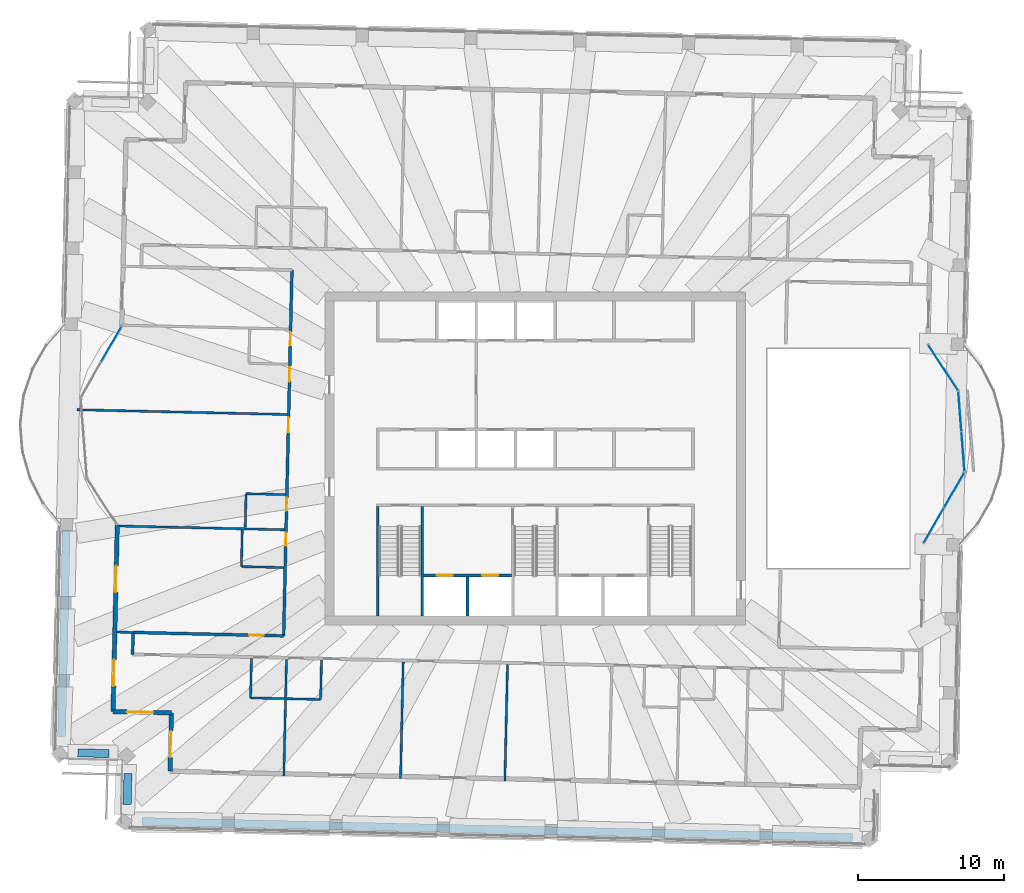
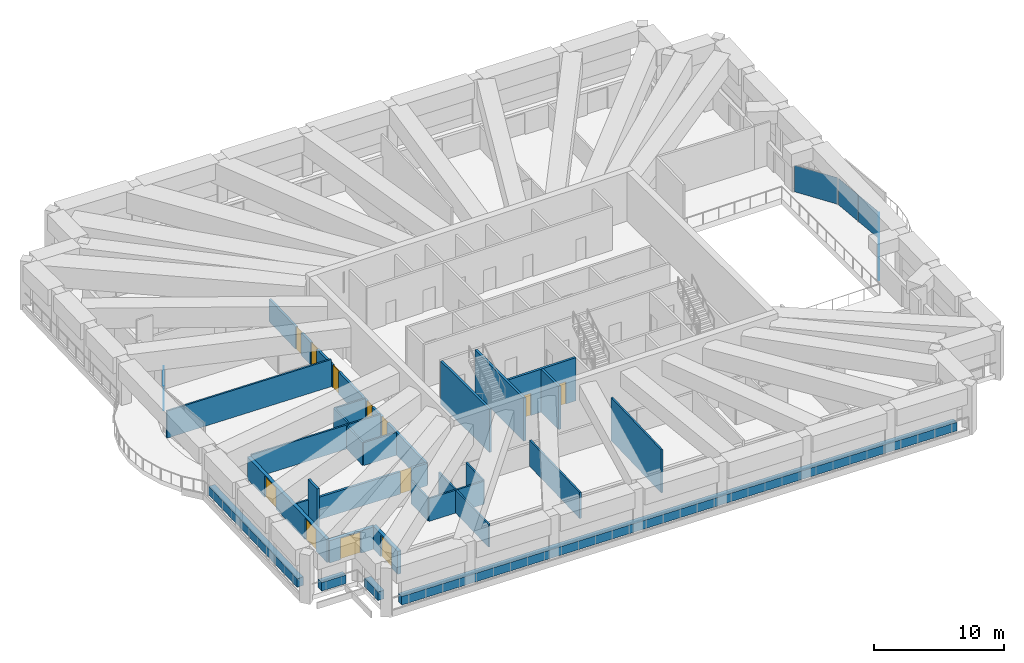
# One storey, part 9 of 21: 27 walls, 12 doors, 6 plates, 12 openings, 4 elements without a shape of their own.
"""IFC4 building model written with IfcOpenShell, lengths in metres."""

from ifc_helpers import new_model, si_unit, direction, frame, frame_2d, origin, origin_2d, place, context, subcontext, project, spatial, rectangle, extrude, material, layer, layer_set, type_object, element, fill, aggregate, save


model = new_model("IFC4")

# Units and contexts
model_context = context("Model", 3, precision=1e-05, world=origin(), true_north=direction((0.0, 1.0)))
body_context = subcontext(model_context, "Body", "Model", "MODEL_VIEW")
ifc_project = project(units=[si_unit("LENGTHUNIT", "METRE"), si_unit("AREAUNIT", "SQUARE_METRE"), si_unit("VOLUMEUNIT", "CUBIC_METRE"), si_unit("PLANEANGLEUNIT", "RADIAN"), si_unit("MASSUNIT", "GRAM", prefix="KILO")], contexts=[model_context])

# Site, building, storey
site_placement = place(None, origin())
site = spatial("IfcSite", under=ifc_project, at=site_placement, CompositionType="ELEMENT")
building_placement = place(site_placement, origin())
building = spatial("IfcBuilding", under=site, at=building_placement, Name="Mangrove Gate Tower", CompositionType="ELEMENT")
storey_placement = place(building_placement, frame((0.0, 0.0, 329.699951171875)))
storey = spatial("IfcBuildingStorey", under=building, at=storey_placement, Name="L84", CompositionType="ELEMENT", Elevation=329.699951171875)

# Curtain wall, plates
ifc_material_1 = material(Name="Aluminium and glass curtain wall", Category="aluminium")
curtain_wall_type = type_object("IfcCurtainWallType", Name="Crown garden glazing wall", PredefinedType="NOTDEFINED", material=ifc_material_1)
curtain_wall_1_placement = place(storey_placement, origin())
curtain_wall_1 = element("IfcCurtainWall", 1, at=curtain_wall_1_placement, inside=storey, type_object=curtain_wall_type, Name="Crown garden glazing E1f1", PredefinedType="NOTDEFINED")
ifc_material_2 = material(Name="Laminated low-e glass", Category="glass")
ifc_layer_1 = layer(ifc_material_2, 0.02587890625)
ifc_layer_set_1 = layer_set([ifc_layer_1], Name="Crown garden glazing panel 26")
plate_type = type_object("IfcPlateType", Name="Crown garden glazing panel 26", PredefinedType="CURTAIN_PANEL", material=ifc_layer_set_1)
plate_1_placement = place(storey_placement, frame((27.30126953125, -4.577880859375, 0.0), z_axis=(0.0, 0.0, 1.0), x_axis=(0.500418160359, 0.865783844145, 0.0)))
plate_1 = element("IfcPlate", 2, at=plate_1_placement, type_object=plate_type, Name="CWC panel 1.1", PredefinedType="CURTAIN_PANEL", context=body_context, shape_type="SweptSolid", body=[
    extrude(rectangle(XDim=2.73095703125, YDim=0.02587890625, at=origin_2d()), origin(), (0.0, 0.0, 1.0), 2.489990234375),
])
plate_2_placement = place(storey_placement, frame((28.69775390625, -2.16162109375, 0.0), z_axis=(0.0, 0.0, 1.0), x_axis=(0.500418160359, 0.865783844145, 0.0)))
plate_2 = element("IfcPlate", 3, at=plate_2_placement, type_object=plate_type, Name="CWC panel 2.1", PredefinedType="CURTAIN_PANEL", context=body_context, shape_type="SweptSolid", body=[
    extrude(rectangle(XDim=2.73095703125, YDim=0.02587890625, at=origin_2d()), origin(), (0.0, 0.0, 1.0), 2.489990234375),
])
aggregate(curtain_wall_1, [plate_1, plate_2])

curtain_wall_2_placement = place(storey_placement, origin())
curtain_wall_2 = element("IfcCurtainWall", 4, at=curtain_wall_2_placement, inside=storey, type_object=curtain_wall_type, Name="Crown garden glazing E1f2", PredefinedType="NOTDEFINED")
plate_3_placement = place(storey_placement, frame((29.302734375, 0.4765625, 0.0), z_axis=(0.0, 0.0, 1.0), x_axis=(-0.077023348386, 0.997029289341, 0.0)))
plate_3 = element("IfcPlate", 5, at=plate_3_placement, type_object=plate_type, Name="CWC panel 1.1", PredefinedType="CURTAIN_PANEL", context=body_context, shape_type="SweptSolid", body=[
    extrude(rectangle(XDim=2.69677734375, YDim=0.02587890625, at=origin_2d()), origin(), (0.0, 0.0, 1.0), 2.489990234375),
])
plate_4_placement = place(storey_placement, frame((29.09033203125, 3.22509765625, 0.0), z_axis=(0.0, 0.0, 1.0), x_axis=(-0.077023348386, 0.997029289341, 0.0)))
plate_4 = element("IfcPlate", 6, at=plate_4_placement, type_object=plate_type, Name="CWC panel 2.1", PredefinedType="CURTAIN_PANEL", context=body_context, shape_type="SweptSolid", body=[
    extrude(rectangle(XDim=2.69677734375, YDim=0.02587890625, at=origin_2d()), origin(), (0.0, 0.0, 1.0), 2.489990234375),
])
aggregate(curtain_wall_2, [plate_3, plate_4])

# Curtain wall, plate
curtain_wall_3_placement = place(storey_placement, origin())
curtain_wall_3 = element("IfcCurtainWall", 7, at=curtain_wall_3_placement, inside=storey, type_object=curtain_wall_type, Name="Crown garden glazing E1f3", PredefinedType="NOTDEFINED")
plate_5_placement = place(storey_placement, frame((27.939697265625, 6.2275390625, 0.0), z_axis=(0.0, 0.0, 1.0), x_axis=(-0.546235085045, 0.837631919083, 0.0)))
plate_5 = element("IfcPlate", 8, at=plate_5_placement, type_object=plate_type, Name="CWC panel 1.1", PredefinedType="CURTAIN_PANEL", context=body_context, shape_type="SweptSolid", body=[
    extrude(rectangle(XDim=3.696044921875, YDim=0.02587890625, at=origin_2d()), origin(), (0.0, 0.0, 1.0), 2.489990234375),
])
aggregate(curtain_wall_3, [plate_5])

curtain_wall_4_placement = place(storey_placement, origin())
curtain_wall_4 = element("IfcCurtainWall", 9, at=curtain_wall_4_placement, inside=storey, type_object=curtain_wall_type, Name="Crown garden glazing W9f1", PredefinedType="NOTDEFINED")
plate_6_placement = place(storey_placement, frame((-29.0517578125, 7.84521484375, 0.0), z_axis=(0.0, 0.0, 1.0), x_axis=(-0.500418160284, -0.865783844189, 0.0)))
plate_6 = element("IfcPlate", 10, at=plate_6_placement, type_object=plate_type, Name="CWC panel 1.1", PredefinedType="CURTAIN_PANEL", context=body_context, shape_type="SweptSolid", body=[
    extrude(rectangle(XDim=2.73095703125, YDim=0.02587890625, at=origin_2d()), origin(), (0.0, 0.0, 1.0), 2.18994140625),
])
aggregate(curtain_wall_4, [plate_6])

# Wall, openings, doors
ifc_material_3 = material(Name="Concrete C50/60", Category="concrete")
ifc_layer_2 = layer(ifc_material_3, 0.199951171875)
ifc_layer_set_2 = layer_set([ifc_layer_2], Name="Core shaft wall 200 C50/60")
wall_type_1 = type_object("IfcWallType", Name="Core shaft wall 200 C50/60", PredefinedType="SHEAR", material=ifc_layer_set_2)
wall_1_placement = place(storey_placement, frame((-7.64990234375, -8.0, 0.0), z_axis=(0.0, 0.0, 1.0), x_axis=(1.0, 0.0, 0.0)))
wall_1 = element("IfcWall", 11, at=wall_1_placement, inside=storey, type_object=wall_type_1, Name="WALL-L84-CORE-15", PredefinedType="SHEAR", context=body_context, shape_type="SweptSolid", body=[
    extrude(rectangle(XDim=6.0, YDim=0.199951171875, at=frame_2d((3.0, 0.0))), origin(), (0.0, 0.0, 1.0), 4.050048828125),
])
opening_1_placement = place(wall_1_placement, frame((0.89990234375, 0.0, 0.0)))
opening_1 = element("IfcOpeningElement", 12, at=opening_1_placement, cuts=wall_1, Name="Opening LD", PredefinedType="OPENING", context=body_context, shape_type="SweptSolid", body=[
    extrude(rectangle(XDim=1.10009765625, YDim=2.10009765625, at=frame_2d((0.550048828125, 1.050048828125))), frame((0.0, 0.10986328125, 0.0), z_axis=(0.0, -1.0, 0.0), x_axis=(1.0, 0.0, 0.0)), (0.0, 0.0, 1.0), 0.219970703125),
])
opening_2_placement = place(wall_1_placement, frame((4.0, 0.0, 0.0)))
opening_2 = element("IfcOpeningElement", 13, at=opening_2_placement, cuts=wall_1, Name="Opening LD", PredefinedType="OPENING", context=body_context, shape_type="SweptSolid", body=[
    extrude(rectangle(XDim=1.10009765625, YDim=2.10009765625, at=frame_2d((0.550048828125, 1.050048828125))), frame((0.0, 0.10986328125, 0.0), z_axis=(0.0, -1.0, 0.0), x_axis=(1.0, 0.0, 0.0)), (0.0, 0.0, 1.0), 0.219970703125),
])
ifc_material_4 = material(Name="Stainless steel 316", Category="steel")
door_type_1 = type_object("IfcDoorType", Name="Lift landing door 1100x2100", OperationType="SLIDING_TO_LEFT", PredefinedType="DOOR", material=ifc_material_4)
door_1_placement = place(opening_1_placement, origin())
door_1 = element("IfcDoor", 14, at=door_1_placement, inside=storey, type_object=door_type_1, Name="Landing door LD SVL1", OperationType="SLIDING_TO_LEFT", OverallHeight=2.10009765625, OverallWidth=1.10009765625, PredefinedType="DOOR", context=body_context, shape_type="SweptSolid", body=[
    extrude(rectangle(XDim=1.10009765625, YDim=2.10009765625, at=frame_2d((0.550048828125, 1.050048828125))), frame((0.0, 0.02490234375, 0.0), z_axis=(0.0, -1.0, 0.0), x_axis=(1.0, 0.0, 0.0)), (0.0, 0.0, 1.0), 0.050048828125),
])
fill(opening_1, door_1)
door_2_placement = place(opening_2_placement, origin())
door_2 = element("IfcDoor", 15, at=door_2_placement, inside=storey, type_object=door_type_1, Name="Landing door LD SVL2", OperationType="SLIDING_TO_LEFT", OverallHeight=2.10009765625, OverallWidth=1.10009765625, PredefinedType="DOOR", context=body_context, shape_type="SweptSolid", body=[
    extrude(rectangle(XDim=1.10009765625, YDim=2.10009765625, at=frame_2d((0.550048828125, 1.050048828125))), frame((0.0, 0.02490234375, 0.0), z_axis=(0.0, -1.0, 0.0), x_axis=(1.0, 0.0, 0.0)), (0.0, 0.0, 1.0), 0.050048828125),
])
fill(opening_2, door_2)

# Walls
wall_2_placement = place(storey_placement, frame((-4.64990234375, -10.800048828125, 0.0), z_axis=(0.0, 0.0, 1.0), x_axis=(0.0, 1.0, 0.0)))
element("IfcWall", 16, at=wall_2_placement, inside=storey, type_object=wall_type_1, Name="WALL-L84-CORE-16", PredefinedType="SHEAR", context=body_context, shape_type="SweptSolid", body=[
    extrude(rectangle(XDim=2.699951171875, YDim=0.199951171875, at=frame_2d((1.35009765625, 0.0))), origin(), (0.0, 0.0, 1.0), 4.050048828125),
])
ifc_material_5 = material(Name="Concrete C50/60", Category="concrete")
ifc_layer_3 = layer(ifc_material_5, 0.199951171875)
ifc_layer_set_3 = layer_set([ifc_layer_3], Name="Core stair wall 200 C50/60")
wall_type_2 = type_object("IfcWallType", Name="Core stair wall 200 C50/60", PredefinedType="SHEAR", material=ifc_layer_set_3)
for number, where, z_axis, x_axis, name in (
    (17, (-10.800048828125, -10.800048828125, 0.0), (0.0, 0.0, 1.0), (0.0, 1.0, 0.0), "WALL-L84-CORE-9"),
    (18, (-7.75, -10.800048828125, 0.0), (0.0, 0.0, 1.0), (0.0, 1.0, 0.0), "WALL-L84-CORE-10"),
):
    element("IfcWall", number, at=place(storey_placement, frame(where, z_axis=z_axis, x_axis=x_axis)), inside=storey, type_object=wall_type_2, Name=name, PredefinedType="SHEAR", context=body_context, shape_type="SweptSolid", body=[
        extrude(rectangle(XDim=7.5, YDim=0.199951171875, at=frame_2d((3.75, 0.0))), origin(), (0.0, 0.0, 1.0), 4.050048828125),
    ])
ifc_material_6 = material(Name="Gypsum board on steel stud, EI 60", Category="steel")
ifc_layer_4 = layer(ifc_material_6, 0.199951171875)
ifc_layer_set_4 = layer_set([ifc_layer_4], Name="Corridor wall EI 60")
wall_type_3 = type_object("IfcWallType", Name="Corridor wall EI 60", PredefinedType="PARTITIONING", material=ifc_layer_set_4)
wall_3_placement = place(storey_placement, frame((-27.597900390625, -13.4140625, 0.0), z_axis=(0.0, 0.0, 1.0), x_axis=(0.022617910375, 0.999744182344, 0.0)))
element("IfcWall", 19, at=wall_3_placement, inside=storey, type_object=wall_type_3, Name="WALL-L84-017", PredefinedType="PARTITIONING", context=body_context, shape_type="SweptSolid", body=[
    extrude(rectangle(XDim=1.50048828125, YDim=0.199951171875, at=frame_2d((0.750244140625, 0.0))), origin(), (0.0, 0.0, 1.0), 4.050048828125),
])

# Wall, opening, door
wall_4_placement = place(storey_placement, frame((-27.56396484375, -11.9140625, 0.0), z_axis=(0.0, 0.0, 1.0), x_axis=(0.999740930851, -0.02276117706, 0.0)))
wall_4 = element("IfcWall", 20, at=wall_4_placement, inside=storey, type_object=wall_type_3, Name="WALL-L84-020", PredefinedType="PARTITIONING", context=body_context, shape_type="SweptSolid", body=[
    extrude(rectangle(XDim=10.318603515625, YDim=0.199951171875, at=frame_2d((5.1591796875, 0.0))), origin(), (0.0, 0.0, 1.0), 2.10009765625),
])
opening_3_placement = place(wall_4_placement, frame((7.955078125, 0.0, 0.0)))
opening_3 = element("IfcOpeningElement", 21, at=opening_3_placement, cuts=wall_4, Name="Opening AD", PredefinedType="OPENING", context=body_context, shape_type="SweptSolid", body=[
    extrude(rectangle(XDim=1.0, YDim=2.10009765625, at=frame_2d((0.5, 1.050048828125))), frame((0.0, 0.10986328125, 0.0), z_axis=(0.0, -1.0, 0.0), x_axis=(1.0, 0.0, 0.0)), (0.0, 0.0, 1.0), 0.219970703125),
])
ifc_material_7 = material(Name="Timber door leaf", Category="wood")
door_type_2 = type_object("IfcDoorType", Name="Amenity door 1000", OperationType="SINGLE_SWING_LEFT", PredefinedType="DOOR", material=ifc_material_7)
door_3_placement = place(opening_3_placement, origin())
door_3 = element("IfcDoor", 22, at=door_3_placement, inside=storey, type_object=door_type_2, Name="DOOR-L84-LNG-c5b", OperationType="SINGLE_SWING_RIGHT", OverallHeight=2.10009765625, OverallWidth=1.0, PredefinedType="DOOR", context=body_context, shape_type="SweptSolid", body=[
    extrude(rectangle(XDim=1.0, YDim=2.10009765625, at=frame_2d((0.5, 1.050048828125))), frame((0.0, 0.02490234375, 0.0), z_axis=(0.0, -1.0, 0.0), x_axis=(1.0, 0.0, 0.0)), (0.0, 0.0, 1.0), 0.050048828125),
])
fill(opening_3, door_3)

# Wall, openings, doors
wall_5_placement = place(storey_placement, frame((-17.2470703125, -12.14892578125, 0.0), z_axis=(0.0, 0.0, 1.0), x_axis=(0.022696191528, 0.999742408268, 0.0)))
wall_5 = element("IfcWall", 23, at=wall_5_placement, inside=storey, type_object=wall_type_3, Name="WALL-L84-021", PredefinedType="PARTITIONING", context=body_context, shape_type="SweptSolid", body=[
    extrude(rectangle(XDim=25.07421875, YDim=0.199951171875, at=frame_2d((12.537109375, 0.0))), origin(), (0.0, 0.0, 1.0), 2.10009765625),
])
opening_4_placement = place(wall_5_placement, frame((17.425048828125, 0.0, 0.0)))
opening_4 = element("IfcOpeningElement", 24, at=opening_4_placement, cuts=wall_5, Name="Opening AD", PredefinedType="OPENING", context=body_context, shape_type="SweptSolid", body=[
    extrude(rectangle(XDim=1.0, YDim=2.10009765625, at=frame_2d((0.5, 1.050048828125))), frame((0.0, 0.10986328125, 0.0), z_axis=(0.0, -1.0, 0.0), x_axis=(1.0, 0.0, 0.0)), (0.0, 0.0, 1.0), 0.219970703125),
])
opening_5_placement = place(wall_5_placement, frame((19.925048828125, 0.0, 0.0)))
opening_5 = element("IfcOpeningElement", 25, at=opening_5_placement, cuts=wall_5, Name="Opening SD", PredefinedType="OPENING", context=body_context, shape_type="SweptSolid", body=[
    extrude(rectangle(XDim=0.89990234375, YDim=2.10009765625, at=frame_2d((0.449951171875, 1.050048828125))), frame((0.0, 0.10986328125, 0.0), z_axis=(0.0, -1.0, 0.0), x_axis=(1.0, 0.0, 0.0)), (0.0, 0.0, 1.0), 0.219970703125),
])
opening_6_placement = place(wall_5_placement, frame((13.972900390625, 0.0, 0.0)))
opening_6 = element("IfcOpeningElement", 26, at=opening_6_placement, cuts=wall_5, Name="Opening AD", PredefinedType="OPENING", context=body_context, shape_type="SweptSolid", body=[
    extrude(rectangle(XDim=1.0, YDim=2.10009765625, at=frame_2d((0.5, 1.050048828125))), frame((0.0, 0.10986328125, 0.0), z_axis=(0.0, -1.0, 0.0), x_axis=(1.0, 0.0, 0.0)), (0.0, 0.0, 1.0), 0.219970703125),
])
opening_7_placement = place(wall_5_placement, frame((8.574951171875, 0.0, 0.0)))
opening_7 = element("IfcOpeningElement", 27, at=opening_7_placement, cuts=wall_5, Name="Opening SD", PredefinedType="OPENING", context=body_context, shape_type="SweptSolid", body=[
    extrude(rectangle(XDim=0.89990234375, YDim=2.10009765625, at=frame_2d((0.449951171875, 1.050048828125))), frame((0.0, 0.10986328125, 0.0), z_axis=(0.0, -1.0, 0.0), x_axis=(1.0, 0.0, 0.0)), (0.0, 0.0, 1.0), 0.219970703125),
])
opening_8_placement = place(wall_5_placement, frame((6.175048828125, 0.0, 0.0)))
opening_8 = element("IfcOpeningElement", 28, at=opening_8_placement, cuts=wall_5, Name="Opening SD", PredefinedType="OPENING", context=body_context, shape_type="SweptSolid", body=[
    extrude(rectangle(XDim=0.89990234375, YDim=2.10009765625, at=frame_2d((0.449951171875, 1.050048828125))), frame((0.0, 0.10986328125, 0.0), z_axis=(0.0, -1.0, 0.0), x_axis=(1.0, 0.0, 0.0)), (0.0, 0.0, 1.0), 0.219970703125),
])
door_4_placement = place(opening_4_placement, origin())
door_4 = element("IfcDoor", 29, at=door_4_placement, inside=storey, type_object=door_type_2, Name="DOOR-L84-KIT-c5a", OperationType="SINGLE_SWING_RIGHT", OverallHeight=2.10009765625, OverallWidth=1.0, PredefinedType="DOOR", context=body_context, shape_type="SweptSolid", body=[
    extrude(rectangle(XDim=1.0, YDim=2.10009765625, at=frame_2d((0.5, 1.050048828125))), frame((0.0, 0.02490234375, 0.0), z_axis=(0.0, -1.0, 0.0), x_axis=(1.0, 0.0, 0.0)), (0.0, 0.0, 1.0), 0.050048828125),
])
fill(opening_4, door_4)
door_5_placement = place(opening_6_placement, origin())
door_5 = element("IfcDoor", 30, at=door_5_placement, inside=storey, type_object=door_type_2, Name="DOOR-L84-LNG-c5a", OperationType="SINGLE_SWING_LEFT", OverallHeight=2.10009765625, OverallWidth=1.0, PredefinedType="DOOR", context=body_context, shape_type="SweptSolid", body=[
    extrude(rectangle(XDim=1.0, YDim=2.10009765625, at=frame_2d((0.5, 1.050048828125))), frame((0.0, 0.02490234375, 0.0), z_axis=(0.0, -1.0, 0.0), x_axis=(1.0, 0.0, 0.0)), (0.0, 0.0, 1.0), 0.050048828125),
])
fill(opening_6, door_5)
ifc_material_8 = material(Name="Timber door leaf", Category="wood")
door_type_3 = type_object("IfcDoorType", Name="Service room door 900", OperationType="SINGLE_SWING_LEFT", PredefinedType="DOOR", material=ifc_material_8)
door_6_placement = place(opening_5_placement, origin())
door_6 = element("IfcDoor", 31, at=door_6_placement, inside=storey, type_object=door_type_3, Name="DOOR-L84-WC-c5a", OperationType="SINGLE_SWING_LEFT", OverallHeight=2.10009765625, OverallWidth=0.89990234375, PredefinedType="DOOR", context=body_context, shape_type="SweptSolid", body=[
    extrude(rectangle(XDim=0.89990234375, YDim=2.10009765625, at=frame_2d((0.449951171875, 1.050048828125))), frame((0.0, 0.02490234375, 0.0), z_axis=(0.0, -1.0, 0.0), x_axis=(1.0, 0.0, 0.0)), (0.0, 0.0, 1.0), 0.050048828125),
])
fill(opening_5, door_6)
door_7_placement = place(opening_7_placement, origin())
door_7 = element("IfcDoor", 32, at=door_7_placement, inside=storey, type_object=door_type_3, Name="DOOR-L84-WC-c5b", OperationType="SINGLE_SWING_RIGHT", OverallHeight=2.10009765625, OverallWidth=0.89990234375, PredefinedType="DOOR", context=body_context, shape_type="SweptSolid", body=[
    extrude(rectangle(XDim=0.89990234375, YDim=2.10009765625, at=frame_2d((0.449951171875, 1.050048828125))), frame((0.0, 0.02490234375, 0.0), z_axis=(0.0, -1.0, 0.0), x_axis=(1.0, 0.0, 0.0)), (0.0, 0.0, 1.0), 0.050048828125),
])
fill(opening_7, door_7)
door_8_placement = place(opening_8_placement, origin())
door_8 = element("IfcDoor", 33, at=door_8_placement, inside=storey, type_object=door_type_3, Name="DOOR-L84-AWC-c5a", OperationType="SINGLE_SWING_LEFT", OverallHeight=2.10009765625, OverallWidth=0.89990234375, PredefinedType="DOOR", context=body_context, shape_type="SweptSolid", body=[
    extrude(rectangle(XDim=0.89990234375, YDim=2.10009765625, at=frame_2d((0.449951171875, 1.050048828125))), frame((0.0, 0.02490234375, 0.0), z_axis=(0.0, -1.0, 0.0), x_axis=(1.0, 0.0, 0.0)), (0.0, 0.0, 1.0), 0.050048828125),
])
fill(opening_8, door_8)

ifc_material_9 = material(Name="Limestone", Category="masonry")
ifc_layer_5 = layer(ifc_material_9, 0.0400390625, Name="Limestone cladding")
ifc_material_10 = material(Name="Ventilated air gap")
ifc_layer_6 = layer(ifc_material_10, 0.0400390625, Name="Ventilated cavity")
ifc_material_11 = material(Name="Mineral wool insulation")
ifc_layer_7 = layer(ifc_material_11, 0.06005859375, Name="Insulation")
ifc_material_12 = material(Name="Breather membrane")
ifc_layer_8 = layer(ifc_material_12, 0.001953125, Name="Breather membrane")
ifc_material_13 = material(Name="Concrete C20/25 blockwork", Category="masonry")
ifc_layer_9 = layer(ifc_material_13, 0.14990234375, Name="Blockwork backing wall")
ifc_material_14 = material(Name="Gypsum plaster")
ifc_layer_10 = layer(ifc_material_14, 0.008056640625, Name="Internal plaster")
ifc_layer_set_5 = layer_set([ifc_layer_5, ifc_layer_6, ifc_layer_7, ifc_layer_8, ifc_layer_9, ifc_layer_10], Name="External wall 300 limestone cladding")
wall_type_4 = type_object("IfcWallType", Name="External wall 300 limestone cladding", PredefinedType="SOLIDWALL", material=ifc_layer_set_5)
wall_6_placement = place(storey_placement, frame((-28.64794921875, -4.55908203125, 0.0), z_axis=(0.0, 0.0, 1.0), x_axis=(-0.022696235044, -0.99974240728, 0.0)))
wall_6 = element("IfcWall", 34, at=wall_6_placement, inside=storey, type_object=wall_type_4, Name="WALL-L84-W10", PredefinedType="SOLIDWALL", context=body_context, shape_type="SweptSolid", body=[
    extrude(rectangle(XDim=12.779052734375, YDim=0.300048828125, at=frame_2d((6.3896484375, 0.0))), origin(), (0.0, 0.0, 1.0), 2.10009765625),
])
opening_9_placement = place(wall_6_placement, frame((2.7919921875, 0.0, 0.0)))
opening_9 = element("IfcOpeningElement", 35, at=opening_9_placement, cuts=wall_6, Name="Opening TD2", PredefinedType="OPENING", context=body_context, shape_type="SweptSolid", body=[
    extrude(rectangle(XDim=1.800048828125, YDim=2.0, at=frame_2d((0.89990234375, 1.0))), frame((0.0, 0.159912109375, 0.0), z_axis=(0.0, -1.0, 0.0), x_axis=(1.0, 0.0, 0.0)), (0.0, 0.0, 1.0), 0.320068359375),
])
opening_10_placement = place(wall_6_placement, frame((9.22900390625, 0.0, 0.0)))
opening_10 = element("IfcOpeningElement", 36, at=opening_10_placement, cuts=wall_6, Name="Opening TD2", PredefinedType="OPENING", context=body_context, shape_type="SweptSolid", body=[
    extrude(rectangle(XDim=1.800048828125, YDim=2.0, at=frame_2d((0.89990234375, 1.0))), frame((0.0, 0.159912109375, 0.0), z_axis=(0.0, -1.0, 0.0), x_axis=(1.0, 0.0, 0.0)), (0.0, 0.0, 1.0), 0.320068359375),
])
ifc_material_15 = material(Name="Aluminium frame with laminated clear glass", Category="aluminium")
door_type_4 = type_object("IfcDoorType", Name="Terrace door 1800x2000", OperationType="DOUBLE_DOOR_SINGLE_SWING", PredefinedType="DOOR", material=ifc_material_15)
door_9_placement = place(opening_9_placement, origin())
door_9 = element("IfcDoor", 37, at=door_9_placement, inside=storey, type_object=door_type_4, Name="DOOR-L84-W10-1", OperationType="DOUBLE_DOOR_SINGLE_SWING", OverallHeight=2.0, OverallWidth=1.800048828125, PredefinedType="DOOR", context=body_context, shape_type="SweptSolid", body=[
    extrude(rectangle(XDim=1.800048828125, YDim=2.0, at=frame_2d((0.89990234375, 1.0))), frame((0.0, 0.02490234375, 0.0), z_axis=(0.0, -1.0, 0.0), x_axis=(1.0, 0.0, 0.0)), (0.0, 0.0, 1.0), 0.050048828125),
])
fill(opening_9, door_9)
door_10_placement = place(opening_10_placement, origin())
door_10 = element("IfcDoor", 38, at=door_10_placement, inside=storey, type_object=door_type_4, Name="DOOR-L84-W10-2", OperationType="DOUBLE_DOOR_SINGLE_SWING", OverallHeight=2.0, OverallWidth=1.800048828125, PredefinedType="DOOR", context=body_context, shape_type="SweptSolid", body=[
    extrude(rectangle(XDim=1.800048828125, YDim=2.0, at=frame_2d((0.89990234375, 1.0))), frame((0.0, 0.02490234375, 0.0), z_axis=(0.0, -1.0, 0.0), x_axis=(1.0, 0.0, 0.0)), (0.0, 0.0, 1.0), 0.050048828125),
])
fill(opening_10, door_10)

# Wall, opening, door
wall_7_placement = place(storey_placement, frame((-28.93798828125, -17.3349609375, 0.0), z_axis=(0.0, 0.0, 1.0), x_axis=(0.999746353029, -0.022521758502, 0.0)))
wall_7 = element("IfcWall", 39, at=wall_7_placement, inside=storey, type_object=wall_type_4, Name="WALL-L84-S11", PredefinedType="SOLIDWALL", context=body_context, shape_type="SweptSolid", body=[
    extrude(rectangle(XDim=4.0, YDim=0.300048828125, at=frame_2d((2.0, 0.0))), origin(), (0.0, 0.0, 1.0), 2.10009765625),
])
opening_11_placement = place(wall_7_placement, frame((0.949951171875, 0.0, 0.0)))
opening_11 = element("IfcOpeningElement", 40, at=opening_11_placement, cuts=wall_7, Name="Opening TD2", PredefinedType="OPENING", context=body_context, shape_type="SweptSolid", body=[
    extrude(rectangle(XDim=1.800048828125, YDim=2.0, at=frame_2d((0.89990234375, 1.0))), frame((0.0, 0.159912109375, 0.0), z_axis=(0.0, -1.0, 0.0), x_axis=(1.0, 0.0, 0.0)), (0.0, 0.0, 1.0), 0.320068359375),
])
door_11_placement = place(opening_11_placement, origin())
door_11 = element("IfcDoor", 41, at=door_11_placement, inside=storey, type_object=door_type_4, Name="DOOR-L84-S11-1", OperationType="DOUBLE_DOOR_SINGLE_SWING", OverallHeight=2.0, OverallWidth=1.800048828125, PredefinedType="DOOR", context=body_context, shape_type="SweptSolid", body=[
    extrude(rectangle(XDim=1.800048828125, YDim=2.0, at=frame_2d((0.89990234375, 1.0))), frame((0.0, 0.02490234375, 0.0), z_axis=(0.0, -1.0, 0.0), x_axis=(1.0, 0.0, 0.0)), (0.0, 0.0, 1.0), 0.050048828125),
])
fill(opening_11, door_11)

wall_8_placement = place(storey_placement, frame((-24.93896484375, -17.425048828125, 0.0), z_axis=(0.0, 0.0, 1.0), x_axis=(-0.022765770952, -0.999740826251, 0.0)))
wall_8 = element("IfcWall", 42, at=wall_8_placement, inside=storey, type_object=wall_type_4, Name="WALL-L84-W12", PredefinedType="SOLIDWALL", context=body_context, shape_type="SweptSolid", body=[
    extrude(rectangle(XDim=4.0, YDim=0.300048828125, at=frame_2d((2.0, 0.0))), origin(), (0.0, 0.0, 1.0), 2.150146484375),
])
opening_12_placement = place(wall_8_placement, frame((1.25, 0.0, 0.0)))
opening_12 = element("IfcOpeningElement", 43, at=opening_12_placement, cuts=wall_8, Name="Opening TD2", PredefinedType="OPENING", context=body_context, shape_type="SweptSolid", body=[
    extrude(rectangle(XDim=1.800048828125, YDim=2.0, at=frame_2d((0.89990234375, 1.0))), frame((0.0, 0.159912109375, 0.0), z_axis=(0.0, -1.0, 0.0), x_axis=(1.0, 0.0, 0.0)), (0.0, 0.0, 1.0), 0.320068359375),
])
door_12_placement = place(opening_12_placement, origin())
door_12 = element("IfcDoor", 44, at=door_12_placement, inside=storey, type_object=door_type_4, Name="DOOR-L84-W12-1", OperationType="DOUBLE_DOOR_SINGLE_SWING", OverallHeight=2.0, OverallWidth=1.800048828125, PredefinedType="DOOR", context=body_context, shape_type="SweptSolid", body=[
    extrude(rectangle(XDim=1.800048828125, YDim=2.0, at=frame_2d((0.89990234375, 1.0))), frame((0.0, 0.02490234375, 0.0), z_axis=(0.0, -1.0, 0.0), x_axis=(1.0, 0.0, 0.0)), (0.0, 0.0, 1.0), 0.050048828125),
])
fill(opening_12, door_12)

# Walls
ifc_material_16 = material(Name="Gypsum board on steel stud, EI 60", Category="steel")
ifc_layer_11 = layer(ifc_material_16, 0.14990234375)
ifc_layer_set_6 = layer_set([ifc_layer_11], Name="Party wall 150 EI 60")
wall_type_5 = type_object("IfcWallType", Name="Party wall 150 EI 60", PredefinedType="PARTITIONING", material=ifc_layer_set_6)
wall_9_placement = place(storey_placement, frame((-17.235107421875, -21.7509765625, 0.0), z_axis=(0.0, 0.0, 1.0), x_axis=(0.022765770952, 0.999740826251, 0.0)))
element("IfcWall", 45, at=wall_9_placement, inside=storey, type_object=wall_type_5, Name="WALL-L84-001", PredefinedType="PARTITIONING", context=body_context, shape_type="SweptSolid", body=[
    extrude(rectangle(XDim=8.0, YDim=0.14990234375, at=frame_2d((4.0, 0.0))), origin(), (0.0, 0.0, 1.0), 2.150146484375),
])
wall_10_placement = place(storey_placement, frame((-9.237060546875, -21.93310546875, 0.0), z_axis=(0.0, 0.0, 1.0), x_axis=(0.022765770952, 0.999740826251, 0.0)))
element("IfcWall", 46, at=wall_10_placement, inside=storey, type_object=wall_type_5, Name="WALL-L84-002", PredefinedType="PARTITIONING", context=body_context, shape_type="SweptSolid", body=[
    extrude(rectangle(XDim=8.0, YDim=0.14990234375, at=frame_2d((4.0, 0.0))), origin(), (0.0, 0.0, 1.0), 2.449951171875),
])
wall_11_placement = place(storey_placement, frame((-2.089111328125, -22.094970703125, 0.0), z_axis=(0.0, 0.0, 1.0), x_axis=(0.022765770952, 0.999740826251, 0.0)))
element("IfcWall", 47, at=wall_11_placement, inside=storey, type_object=wall_type_5, Name="WALL-L84-003", PredefinedType="PARTITIONING", context=body_context, shape_type="SweptSolid", body=[
    extrude(rectangle(XDim=8.0, YDim=0.14990234375, at=frame_2d((4.0, 0.0))), origin(), (0.0, 0.0, 1.0), 4.050048828125),
])
wall_12_placement = place(storey_placement, frame((-19.513916015625, -16.39794921875, 0.0), z_axis=(0.0, 0.0, 1.0), x_axis=(0.999741520352, -0.022735269617, 0.0)))
element("IfcWall", 48, at=wall_12_placement, inside=storey, type_object=wall_type_5, Name="WALL-L84-007", PredefinedType="PARTITIONING", context=body_context, shape_type="SweptSolid", body=[
    extrude(rectangle(XDim=4.800048828125, YDim=0.14990234375, at=frame_2d((2.39990234375, 0.0))), origin(), (0.0, 0.0, 1.0), 2.150146484375),
])
wall_13_placement = place(storey_placement, frame((-19.513916015625, -16.39794921875, 0.0), z_axis=(0.0, 0.0, 1.0), x_axis=(0.02260842146, 0.999744396973, 0.0)))
element("IfcWall", 49, at=wall_13_placement, inside=storey, type_object=wall_type_5, Name="WALL-L84-008", PredefinedType="PARTITIONING", context=body_context, shape_type="SweptSolid", body=[
    extrude(rectangle(XDim=2.69970703125, YDim=0.14990234375, at=frame_2d((1.349853515625, 0.0))), origin(), (0.0, 0.0, 1.0), 2.150146484375),
])
wall_14_placement = place(storey_placement, frame((-14.715087890625, -16.507080078125, 0.0), z_axis=(0.0, 0.0, 1.0), x_axis=(0.02260842146, 0.999744396973, 0.0)))
element("IfcWall", 50, at=wall_14_placement, inside=storey, type_object=wall_type_5, Name="WALL-L84-009", PredefinedType="PARTITIONING", context=body_context, shape_type="SweptSolid", body=[
    extrude(rectangle(XDim=2.69970703125, YDim=0.14990234375, at=frame_2d((1.349853515625, 0.0))), origin(), (0.0, 0.0, 1.0), 2.25),
])
wall_15_placement = place(storey_placement, frame((-28.6640625, -11.888916015625, 0.0), z_axis=(0.0, 0.0, 1.0), x_axis=(0.999738848859, -0.022852441507, 0.0)))
element("IfcWall", 51, at=wall_15_placement, inside=storey, type_object=wall_type_5, Name="WALL-L84-019", PredefinedType="PARTITIONING", context=body_context, shape_type="SweptSolid", body=[
    extrude(rectangle(XDim=1.100341796875, YDim=0.14990234375, at=frame_2d((0.55029296875, 0.0))), origin(), (0.0, 0.0, 1.0), 2.150146484375),
])
wall_16_placement = place(storey_placement, frame((-20.139892578125, -7.406982421875, 0.0), z_axis=(0.0, 0.0, 1.0), x_axis=(0.022523775833, 0.999746307581, 0.0)))
element("IfcWall", 52, at=wall_16_placement, inside=storey, type_object=wall_type_5, Name="WALL-L84-025", PredefinedType="PARTITIONING", context=body_context, shape_type="SweptSolid", body=[
    extrude(rectangle(XDim=2.525634765625, YDim=0.14990234375, at=frame_2d((1.2626953125, 0.0))), origin(), (0.0, 0.0, 1.0), 2.150146484375),
])
wall_17_placement = place(storey_placement, frame((-20.14111328125, -7.402099609375, 0.0), z_axis=(0.0, 0.0, 1.0), x_axis=(0.999749214372, -0.022394382402, 0.0)))
element("IfcWall", 53, at=wall_17_placement, inside=storey, type_object=wall_type_5, Name="WALL-L84-026", PredefinedType="PARTITIONING", context=body_context, shape_type="SweptSolid", body=[
    extrude(rectangle(XDim=2.89990234375, YDim=0.14990234375, at=frame_2d((1.449951171875, 0.0))), origin(), (0.0, 0.0, 1.0), 2.150146484375),
])
wall_18_placement = place(storey_placement, frame((-28.4990234375, -4.62109375, 0.0), z_axis=(0.0, 0.0, 1.0), x_axis=(0.999742525483, -0.022691027763, 0.0)))
element("IfcWall", 54, at=wall_18_placement, inside=storey, type_object=wall_type_5, Name="WALL-L84-027", PredefinedType="PARTITIONING", context=body_context, shape_type="SweptSolid", body=[
    extrude(rectangle(XDim=11.31884765625, YDim=0.14990234375, at=frame_2d((5.659423828125, 0.0))), origin(), (0.0, 0.0, 1.0), 2.25),
])
wall_19_placement = place(storey_placement, frame((-19.8798828125, -4.737060546875, 0.0), z_axis=(0.0, 0.0, 1.0), x_axis=(0.02279059109, 0.999740260747, 0.0)))
element("IfcWall", 55, at=wall_19_placement, inside=storey, type_object=wall_type_5, Name="WALL-L84-028", PredefinedType="PARTITIONING", context=body_context, shape_type="SweptSolid", body=[
    extrude(rectangle(XDim=2.324462890625, YDim=0.14990234375, at=frame_2d((1.162109375, 0.0))), origin(), (0.0, 0.0, 1.0), 2.25),
])
wall_20_placement = place(storey_placement, frame((-19.827880859375, -2.407958984375, 0.0), z_axis=(0.0, 0.0, 1.0), x_axis=(0.99974458177, -0.022600248254, 0.0)))
element("IfcWall", 56, at=wall_20_placement, inside=storey, type_object=wall_type_5, Name="WALL-L84-029", PredefinedType="PARTITIONING", context=body_context, shape_type="SweptSolid", body=[
    extrude(rectangle(XDim=2.70068359375, YDim=0.14990234375, at=frame_2d((1.350341796875, 0.0))), origin(), (0.0, 0.0, 1.0), 2.25),
])
wall_21_placement = place(storey_placement, frame((-31.416015625, 3.346923828125, 0.0), z_axis=(0.0, 0.0, 1.0), x_axis=(0.999742848762, -0.022676779958, 0.0)))
element("IfcWall", 57, at=wall_21_placement, inside=storey, type_object=wall_type_5, Name="WALL-L84-030", PredefinedType="PARTITIONING", context=body_context, shape_type="SweptSolid", body=[
    extrude(rectangle(XDim=14.415771484375, YDim=0.14990234375, at=frame_2d((7.2080078125, 0.0))), origin(), (0.0, 0.0, 1.0), 2.550048828125),
])
ifc_material_17 = material(Name="Concrete C32/40", Category="concrete")
ifc_layer_12 = layer(ifc_material_17, 0.199951171875, Name="Planter trough wall")
ifc_material_18 = material(Name="Bituminous waterproofing membrane")
ifc_layer_13 = layer(ifc_material_18, 0.0048828125, Name="Waterproofing")
ifc_material_19 = material(Name="Drainage board and gravel")
ifc_layer_14 = layer(ifc_material_19, 0.044921875, Name="Drainage layer")
ifc_material_20 = material(Name="Planting soil")
ifc_layer_15 = layer(ifc_material_20, 0.300048828125, Name="Growing medium")
ifc_layer_set_7 = layer_set([ifc_layer_12, ifc_layer_13, ifc_layer_14, ifc_layer_15], Name="Planter wall 550 C32/40")
wall_type_6 = type_object("IfcWallType", Name="Planter wall 550 C32/40", PredefinedType="USERDEFINED", material=ifc_layer_set_7)
wall_22_placement = place(storey_placement, frame((21.72900390625, -25.970947265625, 0.0), z_axis=(0.0, 0.0, 1.0), x_axis=(-0.999743009218, 0.022669704886, 0.0)))
element("IfcWall", 58, at=wall_22_placement, inside=storey, type_object=wall_type_6, Name="PLANTER L84 T1.8.6", ObjectType="PLANTER", PredefinedType="USERDEFINED", context=body_context, shape_type="SweptSolid", body=[
    extrude(rectangle(XDim=48.699462890625, YDim=0.550048828125, at=frame_2d((24.349609375, 0.0))), origin(), (0.0, 0.0, 1.0), 0.800048828125),
])
wall_23_placement = place(storey_placement, frame((-27.967041015625, -23.7080078125, 0.0), z_axis=(0.0, 0.0, 1.0), x_axis=(0.022500871039, 0.999746823352, 0.0)))
element("IfcWall", 59, at=wall_23_placement, inside=storey, type_object=wall_type_6, Name="PLANTER L84 T1.9.6", ObjectType="PLANTER", PredefinedType="USERDEFINED", context=body_context, shape_type="SweptSolid", body=[
    extrude(rectangle(XDim=2.137451171875, YDim=0.550048828125, at=frame_2d((1.06884765625, 0.0))), origin(), (0.0, 0.0, 1.0), 0.800048828125),
])
wall_24_placement = place(storey_placement, frame((-29.216064453125, -20.214111328125, 0.0), z_axis=(0.0, 0.0, 1.0), x_axis=(-0.999746591885, 0.022511153115, 0.0)))
element("IfcWall", 60, at=wall_24_placement, inside=storey, type_object=wall_type_6, Name="PLANTER L84 T1.9.9", ObjectType="PLANTER", PredefinedType="USERDEFINED", context=body_context, shape_type="SweptSolid", body=[
    extrude(rectangle(XDim=2.136474609375, YDim=0.550048828125, at=frame_2d((1.068359375, 0.0))), origin(), (0.0, 0.0, 1.0), 0.800048828125),
])
wall_25_placement = place(storey_placement, frame((-32.4619140625, -19.054931640625, 0.0), z_axis=(0.0, 0.0, 1.0), x_axis=(0.022652873988, 0.999743390726, 0.0)))
element("IfcWall", 61, at=wall_25_placement, inside=storey, type_object=wall_type_6, Name="PLANTER L84 T1.10.6", ObjectType="PLANTER", PredefinedType="USERDEFINED", context=body_context, shape_type="SweptSolid", body=[
    extrude(rectangle(XDim=14.16162109375, YDim=0.550048828125, at=frame_2d((7.080810546875, 0.0))), origin(), (0.0, 0.0, 1.0), 0.800048828125),
])

save(model, "model.ifc")
